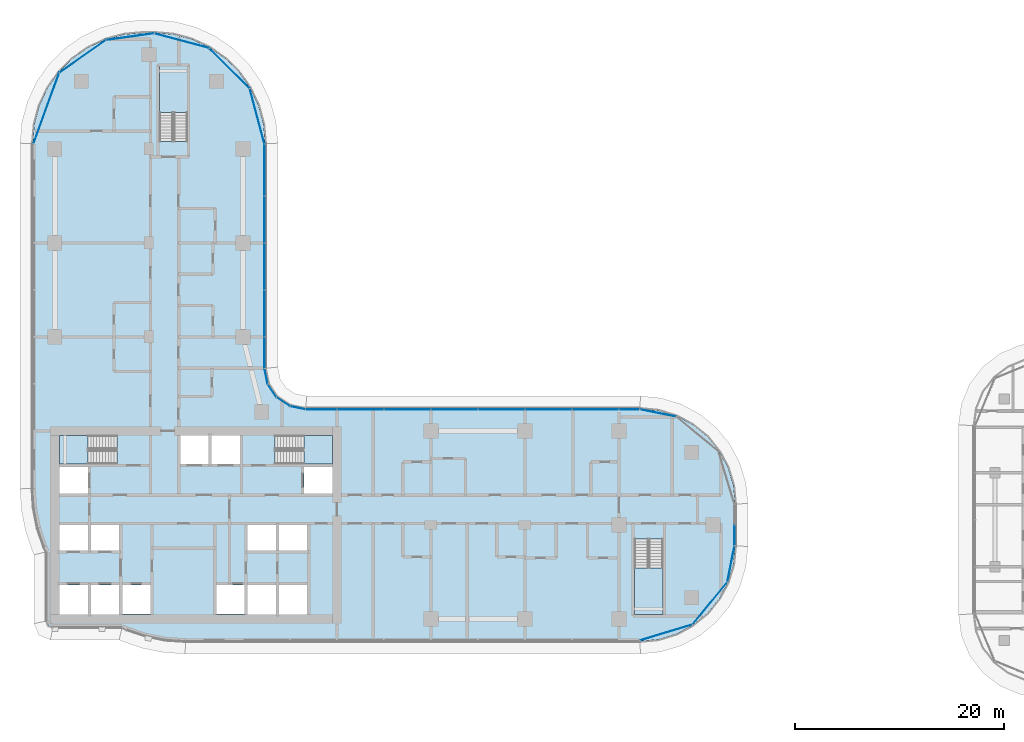
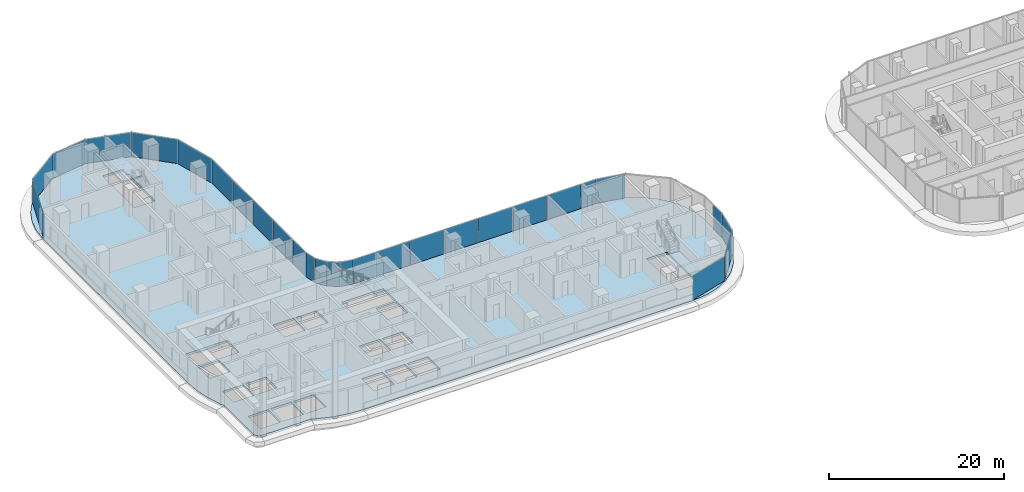
# One storey, part 15 of 36: 28 plates, 5 slabs, 11 elements without a shape of their own.
"""IFC4 building model written with IfcOpenShell, lengths in metres."""

import ifcopenshell
import ifcopenshell.guid

model = None  # the IFC model being written
_history = None  # IfcOwnerHistory: only IFC2X3 demands one
_inside = {}  # id of a spatial element -> (the spatial element, [elements in it])
_under = {}  # id of a project, library or spatial element -> (it, [spatial elements below it])
_declared = {}  # id of a project -> (the project, [libraries it declares])
_typed = {}  # id of a type object -> (the type object, [elements of that type])
_made_of = {}  # id of a material, layer set ... -> (it, [elements and type objects made of it])


def new_model(schema):
    """Start an empty IFC model of exactly this schema.

    Asked for "IFC4X3", IfcOpenShell would pick the latest addendum, in which some entities
    have other attributes; the version numbers below select the first issue.
    IFC2X3 requires an IfcOwnerHistory on every rooted entity: one is made here for all.
    """
    global model, _history
    if schema == "IFC4X3":
        model = ifcopenshell.file(schema_version=(4, 3, 0, 0))
    else:
        model = ifcopenshell.file(schema=schema)
    _inside.clear()
    _under.clear()
    _declared.clear()
    _typed.clear()
    _made_of.clear()
    _history = None
    if model.schema == "IFC2X3":
        org = make("IfcOrganization", Name="unknown")
        user = make(
            "IfcPersonAndOrganization",
            ThePerson=make("IfcPerson", FamilyName="unknown"),
            TheOrganization=org,
        )
        app = make(
            "IfcApplication",
            ApplicationDeveloper=org,
            Version="unknown",
            ApplicationFullName="unknown",
            ApplicationIdentifier="unknown",
        )
        _history = make(
            "IfcOwnerHistory",
            OwningUser=user,
            OwningApplication=app,
            ChangeAction="ADDED",
            CreationDate=0,
        )
    return model


def make(cls, **values):
    """One entity of the class cls with the attributes given. An attribute that is None is left unset."""
    return model.create_entity(
        cls, **{name: value for name, value in values.items() if value is not None}
    )


def rooted(cls, **values):
    """An entity with a GlobalId (a new one), such as an element, a storey or a relation."""
    return make(cls, GlobalId=ifcopenshell.guid.new(), OwnerHistory=_history, **values)


def si_unit(unit_type, name, prefix=None):
    """IfcSIUnit, for example si_unit("LENGTHUNIT", "METRE", prefix="MILLI")."""
    return make("IfcSIUnit", UnitType=unit_type, Prefix=prefix, Name=name)


def assignment(units):
    """IfcUnitAssignment: the units of a project."""
    return None if units is None else make("IfcUnitAssignment", Units=units)


def point(xyz):
    """IfcCartesianPoint."""
    return None if xyz is None else make("IfcCartesianPoint", Coordinates=xyz)


def direction(xyz):
    """IfcDirection."""
    return None if xyz is None else make("IfcDirection", DirectionRatios=xyz)


def frame(location, z_axis=None, x_axis=None):
    """IfcAxis2Placement3D, a coordinate frame: its origin and axes. An axis left out is left unset."""
    return make(
        "IfcAxis2Placement3D",
        Location=point(location),
        Axis=direction(z_axis),
        RefDirection=direction(x_axis),
    )


def frame_2d(location, x_axis=None):
    """IfcAxis2Placement2D, a coordinate frame in the plane: its origin and x axis."""
    return make(
        "IfcAxis2Placement2D", Location=point(location), RefDirection=direction(x_axis)
    )


def origin():
    """The frame at (0, 0, 0) with its axes left unset."""
    return frame((0.0, 0.0, 0.0))


def origin_2d():
    """The frame at (0, 0) in the plane with its x axis left unset."""
    return frame_2d((0.0, 0.0))


def place(relative_to, where):
    """IfcLocalPlacement: puts the frame where relative to a parent placement (None: the world)."""
    return make(
        "IfcLocalPlacement", PlacementRelTo=relative_to, RelativePlacement=where
    )


def context(
    kind, dimensions, precision=None, world=None, true_north=None, identifier=None
):
    """IfcGeometricRepresentationContext, for example the 3D "Model" context."""
    return make(
        "IfcGeometricRepresentationContext",
        ContextIdentifier=identifier,
        ContextType=kind,
        CoordinateSpaceDimension=dimensions,
        Precision=precision,
        WorldCoordinateSystem=world,
        TrueNorth=true_north,
    )


def subcontext(parent, identifier, kind, view, scale=None):
    """IfcGeometricRepresentationSubContext, for example "Body" below "Model"."""
    return make(
        "IfcGeometricRepresentationSubContext",
        ContextIdentifier=identifier,
        ContextType=kind,
        ParentContext=parent,
        TargetScale=scale,
        TargetView=view,
    )


def project(units=None, contexts=None):
    """IfcProject with its units and contexts."""
    return rooted(
        "IfcProject",
        Name="project",
        RepresentationContexts=contexts,
        UnitsInContext=assignment(units),
    )


def spatial(cls, under=None, at=None, **own):
    """A site, building, storey or space (cls), placed at a placement, below another one or the project."""
    s = rooted(cls, ObjectPlacement=at, **own)
    if under is not None:
        _under.setdefault(under.id(), (under, []))[1].append(s)
    return s


def polyline(points):
    """IfcPolyline through the points."""
    return make("IfcPolyline", Points=[point(p) for p in points])


def profile(cls, at=None, kind="AREA", **sizes):
    """A parametric profile (cls). Its sizes go by their IFC names, for example OverallWidth=200.0."""
    return make(cls, ProfileType=kind, Position=at, **sizes)


def rectangle(**sizes):
    """IfcRectangleProfileDef."""
    return profile("IfcRectangleProfileDef", **sizes)


def outline(outer, holes=None, kind="AREA"):
    """IfcArbitraryClosedProfileDef: a profile drawn as a closed curve; with holes, ...WithVoids."""
    if holes is None:
        return make("IfcArbitraryClosedProfileDef", ProfileType=kind, OuterCurve=outer)
    return make(
        "IfcArbitraryProfileDefWithVoids",
        ProfileType=kind,
        OuterCurve=outer,
        InnerCurves=holes,
    )


def extrude(swept, where, along, depth):
    """IfcExtrudedAreaSolid: the profile swept, set in the frame where, extruded along a direction by depth."""
    return make(
        "IfcExtrudedAreaSolid",
        SweptArea=swept,
        Position=where,
        ExtrudedDirection=direction(along),
        Depth=depth,
    )


def shape(context_of_items, identifier, shape_type, items):
    """IfcShapeRepresentation: the items that make up one representation, for example the "Body"."""
    return make(
        "IfcShapeRepresentation",
        ContextOfItems=context_of_items,
        RepresentationIdentifier=identifier,
        RepresentationType=shape_type,
        Items=items,
    )


def material(Name=None, Category=None):
    """IfcMaterial."""
    return make("IfcMaterial", Name=Name, Category=Category)


def layer(
    of_material, thickness, ventilated=None, Name=None, Category=None, Priority=None
):
    """IfcMaterialLayer: one layer of a wall or slab, of a material (None: an air gap)."""
    return make(
        "IfcMaterialLayer",
        Material=of_material,
        LayerThickness=thickness,
        IsVentilated=ventilated,
        Name=Name,
        Category=Category,
        Priority=Priority,
    )


def layer_set(layers, Name=None):
    """IfcMaterialLayerSet."""
    return make("IfcMaterialLayerSet", MaterialLayers=layers, LayerSetName=Name)


def made_of(thing, what):
    """Note that an element or type object is made of a material, layer set ...; save() writes the relation."""
    if what is not None:
        _made_of.setdefault(what.id(), (what, []))[1].append(thing)
    return thing


def type_object(cls, material=None, **own):
    """A type object (cls), such as IfcWallType, which elements share."""
    return made_of(rooted(cls, **own), material)


def element(
    cls,
    number,
    at=None,
    inside=None,
    cuts=None,
    type_object=None,
    material=None,
    context=None,
    identifier="Body",
    shape_type=None,
    held_by="IfcProductDefinitionShape",
    body=None,
    shapes=None,
    **own,
):
    """One element of the class cls, such as IfcWall. Its Tag is "e" and its number.

    at: its placement. inside: the storey or other place that contains it. cuts: it is an
    opening in that element (IfcRelVoidsElement). A single representation is given by context,
    identifier, shape_type and body (its items); several are given by shapes. held_by: the class
    of the entity that holds the representations. save() writes the other relations.
    """
    e = rooted(cls, Tag="e%d" % number, ObjectPlacement=at, **own)
    if body is not None:
        shapes = [shape(context, identifier, shape_type, body)]
    if shapes is not None:
        e.Representation = make(held_by, Representations=shapes)
    if inside is not None:
        _inside.setdefault(inside.id(), (inside, []))[1].append(e)
    if cuts is not None:
        rooted(
            "IfcRelVoidsElement", RelatingBuildingElement=cuts, RelatedOpeningElement=e
        )
    if type_object is not None:
        _typed.setdefault(type_object.id(), (type_object, []))[1].append(e)
    return made_of(e, material)


def aggregate(whole, parts):
    """IfcRelAggregates: a whole, such as a stair, and the parts it consists of."""
    return rooted("IfcRelAggregates", RelatingObject=whole, RelatedObjects=parts)


def save(model, path):
    """Write the relations noted so far, then the file.

    IfcRelAggregates (storeys below a building ...), IfcRelContainedInSpatialStructure (elements
    in a storey), IfcRelDefinesByType, IfcRelAssociatesMaterial and IfcRelDeclares: one each for
    every whole, place, type object, material and project.
    """
    for whole, parts in _under.values():
        aggregate(whole, parts)
    for where, things in _inside.values():
        rooted(
            "IfcRelContainedInSpatialStructure",
            RelatedElements=things,
            RelatingStructure=where,
        )
    for kind, things in _typed.values():
        rooted("IfcRelDefinesByType", RelatedObjects=things, RelatingType=kind)
    for what, things in _made_of.values():
        rooted("IfcRelAssociatesMaterial", RelatedObjects=things, RelatingMaterial=what)
    for by, libraries in _declared.values():
        rooted("IfcRelDeclares", RelatingContext=by, RelatedDefinitions=libraries)
    model.write(path)


model = new_model("IFC4")

# Units and contexts
model_context = context("Model", 3, precision=1e-05, world=origin(), true_north=direction((0.0, 1.0)))
body_context = subcontext(model_context, "Body", "Model", "MODEL_VIEW")
ifc_project = project(units=[si_unit("LENGTHUNIT", "METRE"), si_unit("AREAUNIT", "SQUARE_METRE"), si_unit("VOLUMEUNIT", "CUBIC_METRE"), si_unit("PLANEANGLEUNIT", "RADIAN"), si_unit("MASSUNIT", "GRAM", prefix="KILO")], contexts=[model_context])

# Site, building, storey
site_placement = place(None, origin())
site = spatial("IfcSite", under=ifc_project, at=site_placement, CompositionType="ELEMENT")
building_placement = place(site_placement, origin())
building = spatial("IfcBuilding", under=site, at=building_placement, Name="Ogive Portal Towers", CompositionType="ELEMENT")
storey_placement = place(building_placement, frame((0.0, 0.0, 52.0)))
storey = spatial("IfcBuildingStorey", under=building, at=storey_placement, Name="L11", CompositionType="ELEMENT", Elevation=52.0)

# Curtain wall, plate
ifc_material_1 = material(Name="Glass, clear low-iron insulated glazing", Category="glass")
curtain_wall_type = type_object("IfcCurtainWallType", Name="CW FRONT RIBBON 4500", PredefinedType="NOTDEFINED", material=ifc_material_1)
curtain_wall_1_placement = place(storey_placement, origin())
curtain_wall_1 = element("IfcCurtainWall", 1, at=curtain_wall_1_placement, inside=storey, type_object=curtain_wall_type, Name="A:L11:f12:cw0", PredefinedType="NOTDEFINED")
ifc_layer_1 = layer(ifc_material_1, 0.028076171875)
ifc_layer_set_1 = layer_set([ifc_layer_1], Name="CW PANEL IGU 28")
plate_type = type_object("IfcPlateType", Name="CW PANEL IGU 28", PredefinedType="CURTAIN_PANEL", material=ifc_layer_set_1)
plate_1_placement = place(storey_placement, frame((96.56494140625, 29.50390625, 0.0), z_axis=(0.0, 0.0, 1.0), x_axis=(0.0, 1.0, 0.0)))
plate_1 = element("IfcPlate", 2, at=plate_1_placement, type_object=plate_type, Name="panel", PredefinedType="CURTAIN_PANEL", context=body_context, shape_type="SweptSolid", body=[
    extrude(rectangle(XDim=1.93212890625, YDim=0.028076171875, at=origin_2d()), origin(), (0.0, 0.0, 1.0), 3.340087890625),
])
aggregate(curtain_wall_1, [plate_1])

# Curtain wall, plates
curtain_wall_2_placement = place(storey_placement, origin())
curtain_wall_2 = element("IfcCurtainWall", 3, at=curtain_wall_2_placement, inside=storey, type_object=curtain_wall_type, Name="A:L11:f16:cw0", PredefinedType="NOTDEFINED")
plate_2_placement = place(storey_placement, frame((86.49609375, 41.56494140625, 0.0), z_axis=(0.0, 0.0, 1.0), x_axis=(-1.0, 0.0, 0.0)))
plate_2 = element("IfcPlate", 4, at=plate_2_placement, type_object=plate_type, Name="panel", PredefinedType="CURTAIN_PANEL", context=body_context, shape_type="SweptSolid", body=[
    extrude(rectangle(XDim=1.93212890625, YDim=0.028076171875, at=origin_2d()), origin(), (0.0, 0.0, 1.0), 3.340087890625),
])
plate_3_placement = place(storey_placement, frame((83.25, 41.56494140625, 0.0), z_axis=(0.0, 0.0, 1.0), x_axis=(-1.0, 0.0, 0.0)))
plate_3 = element("IfcPlate", 5, at=plate_3_placement, type_object=plate_type, Name="panel", PredefinedType="CURTAIN_PANEL", context=body_context, shape_type="SweptSolid", body=[
    extrude(rectangle(XDim=4.43994140625, YDim=0.028076171875, at=origin_2d()), origin(), (0.0, 0.0, 1.0), 3.340087890625),
])
plate_4_placement = place(storey_placement, frame((78.75, 41.56494140625, 0.0), z_axis=(0.0, 0.0, 1.0), x_axis=(-1.0, 0.0, 0.0)))
plate_4 = element("IfcPlate", 6, at=plate_4_placement, type_object=plate_type, Name="panel", PredefinedType="CURTAIN_PANEL", context=body_context, shape_type="SweptSolid", body=[
    extrude(rectangle(XDim=4.43994140625, YDim=0.028076171875, at=origin_2d()), origin(), (0.0, 0.0, 1.0), 3.340087890625),
])
plate_5_placement = place(storey_placement, frame((74.25, 41.56494140625, 0.0), z_axis=(0.0, 0.0, 1.0), x_axis=(-1.0, 0.0, 0.0)))
plate_5 = element("IfcPlate", 7, at=plate_5_placement, type_object=plate_type, Name="panel", PredefinedType="CURTAIN_PANEL", context=body_context, shape_type="SweptSolid", body=[
    extrude(rectangle(XDim=4.43994140625, YDim=0.028076171875, at=origin_2d()), origin(), (0.0, 0.0, 1.0), 3.340087890625),
])
plate_6_placement = place(storey_placement, frame((69.75, 41.56494140625, 0.0), z_axis=(0.0, 0.0, 1.0), x_axis=(-1.0, 0.0, 0.0)))
plate_6 = element("IfcPlate", 8, at=plate_6_placement, type_object=plate_type, Name="panel", PredefinedType="CURTAIN_PANEL", context=body_context, shape_type="SweptSolid", body=[
    extrude(rectangle(XDim=4.43994140625, YDim=0.028076171875, at=origin_2d()), origin(), (0.0, 0.0, 1.0), 3.340087890625),
])
plate_7_placement = place(storey_placement, frame((65.25, 41.56494140625, 0.0), z_axis=(0.0, 0.0, 1.0), x_axis=(-1.0, 0.0, 0.0)))
plate_7 = element("IfcPlate", 9, at=plate_7_placement, type_object=plate_type, Name="panel", PredefinedType="CURTAIN_PANEL", context=body_context, shape_type="SweptSolid", body=[
    extrude(rectangle(XDim=4.43994140625, YDim=0.028076171875, at=origin_2d()), origin(), (0.0, 0.0, 1.0), 3.340087890625),
])
plate_8_placement = place(storey_placement, frame((60.75, 41.56494140625, 0.0), z_axis=(0.0, 0.0, 1.0), x_axis=(-1.0, 0.0, 0.0)))
plate_8 = element("IfcPlate", 10, at=plate_8_placement, type_object=plate_type, Name="panel", PredefinedType="CURTAIN_PANEL", context=body_context, shape_type="SweptSolid", body=[
    extrude(rectangle(XDim=4.43994140625, YDim=0.028076171875, at=origin_2d()), origin(), (0.0, 0.0, 1.0), 3.340087890625),
])
plate_9_placement = place(storey_placement, frame((56.99609375, 41.56494140625, 0.0), z_axis=(0.0, 0.0, 1.0), x_axis=(-1.0, 0.0, 0.0)))
plate_9 = element("IfcPlate", 11, at=plate_9_placement, type_object=plate_type, Name="panel", PredefinedType="CURTAIN_PANEL", context=body_context, shape_type="SweptSolid", body=[
    extrude(rectangle(XDim=2.947998046875, YDim=0.028076171875, at=origin_2d()), origin(), (0.0, 0.0, 1.0), 3.340087890625),
])
aggregate(curtain_wall_2, [plate_2, plate_3, plate_4, plate_5, plate_6, plate_7, plate_8, plate_9])

curtain_wall_3_placement = place(storey_placement, origin())
curtain_wall_3 = element("IfcCurtainWall", 12, at=curtain_wall_3_placement, inside=storey, type_object=curtain_wall_type, Name="A:L11:f21:cw0", PredefinedType="NOTDEFINED")
plate_10_placement = place(storey_placement, frame((51.56494140625, 46.99609375, 0.0), z_axis=(0.0, 0.0, 1.0), x_axis=(0.0, 1.0, 0.0)))
plate_10 = element("IfcPlate", 13, at=plate_10_placement, type_object=plate_type, Name="panel", PredefinedType="CURTAIN_PANEL", context=body_context, shape_type="SweptSolid", body=[
    extrude(rectangle(XDim=2.947998046875, YDim=0.028076171875, at=origin_2d()), origin(), (0.0, 0.0, 1.0), 3.340087890625),
])
plate_11_placement = place(storey_placement, frame((51.56494140625, 50.75, 0.0), z_axis=(0.0, 0.0, 1.0), x_axis=(0.0, 1.0, 0.0)))
plate_11 = element("IfcPlate", 14, at=plate_11_placement, type_object=plate_type, Name="panel", PredefinedType="CURTAIN_PANEL", context=body_context, shape_type="SweptSolid", body=[
    extrude(rectangle(XDim=4.43994140625, YDim=0.028076171875, at=origin_2d()), origin(), (0.0, 0.0, 1.0), 3.340087890625),
])
plate_12_placement = place(storey_placement, frame((51.56494140625, 55.25, 0.0), z_axis=(0.0, 0.0, 1.0), x_axis=(0.0, 1.0, 0.0)))
plate_12 = element("IfcPlate", 15, at=plate_12_placement, type_object=plate_type, Name="panel", PredefinedType="CURTAIN_PANEL", context=body_context, shape_type="SweptSolid", body=[
    extrude(rectangle(XDim=4.43994140625, YDim=0.028076171875, at=origin_2d()), origin(), (0.0, 0.0, 1.0), 3.340087890625),
])
plate_13_placement = place(storey_placement, frame((51.56494140625, 59.75, 0.0), z_axis=(0.0, 0.0, 1.0), x_axis=(0.0, 1.0, 0.0)))
plate_13 = element("IfcPlate", 16, at=plate_13_placement, type_object=plate_type, Name="panel", PredefinedType="CURTAIN_PANEL", context=body_context, shape_type="SweptSolid", body=[
    extrude(rectangle(XDim=4.43994140625, YDim=0.028076171875, at=origin_2d()), origin(), (0.0, 0.0, 1.0), 3.340087890625),
])
plate_14_placement = place(storey_placement, frame((51.56494140625, 64.49462890625, 0.0), z_axis=(0.0, 0.0, 1.0), x_axis=(0.0, 1.0, 0.0)))
plate_14 = element("IfcPlate", 17, at=plate_14_placement, type_object=plate_type, Name="panel", PredefinedType="CURTAIN_PANEL", context=body_context, shape_type="SweptSolid", body=[
    extrude(rectangle(XDim=4.929443359375, YDim=0.028076171875, at=origin_2d()), origin(), (0.0, 0.0, 1.0), 3.340087890625),
])
aggregate(curtain_wall_3, [plate_10, plate_11, plate_12, plate_13, plate_14])

curtain_wall_4_placement = place(storey_placement, origin())
curtain_wall_4 = element("IfcCurtainWall", 18, at=curtain_wall_4_placement, inside=storey, type_object=curtain_wall_type, Name="A:L11:f09:cwa", PredefinedType="NOTDEFINED")
plate_15_placement = place(storey_placement, frame((90.01123046875, 20.200439453125, 0.0), z_axis=(0.0, 0.0, 1.0), x_axis=(0.956940335732, 0.290284677254, 0.0)))
plate_15 = element("IfcPlate", 19, at=plate_15_placement, type_object=plate_type, Name="panel", PredefinedType="CURTAIN_PANEL", context=body_context, shape_type="SweptSolid", body=[
    extrude(rectangle(XDim=5.213134765625, YDim=0.028076171875, at=origin_2d()), origin(), (0.0, 0.0, 1.0), 3.340087890625),
])
plate_16_placement = place(storey_placement, frame((94.204345703125, 23.000732421875, 0.0), z_axis=(0.0, 0.0, 1.0), x_axis=(0.634393284164, 0.773010453363, 0.0)))
plate_16 = element("IfcPlate", 20, at=plate_16_placement, type_object=plate_type, Name="panel", PredefinedType="CURTAIN_PANEL", context=body_context, shape_type="SweptSolid", body=[
    extrude(rectangle(XDim=5.205078125, YDim=0.028076171875, at=origin_2d()), origin(), (0.0, 0.0, 1.0), 3.340087890625),
])
plate_17_placement = place(storey_placement, frame((96.2197265625, 26.771728515625, 0.0), z_axis=(0.0, 0.0, 1.0), x_axis=(0.195090322016, 0.980785280403, 0.0)))
plate_17 = element("IfcPlate", 21, at=plate_17_placement, type_object=plate_type, Name="panel", PredefinedType="CURTAIN_PANEL", context=body_context, shape_type="SweptSolid", body=[
    extrude(rectangle(XDim=3.480224609375, YDim=0.028076171875, at=origin_2d()), origin(), (0.0, 0.0, 1.0), 3.340087890625),
])
aggregate(curtain_wall_4, [plate_15, plate_16, plate_17])

# Curtain wall, plate
curtain_wall_5_placement = place(storey_placement, origin())
curtain_wall_5 = element("IfcCurtainWall", 22, at=curtain_wall_5_placement, inside=storey, type_object=curtain_wall_type, Name="A:L11:f13:cwa", PredefinedType="NOTDEFINED")
plate_18_placement = place(storey_placement, frame((89.228271484375, 41.2197265625, 0.0), z_axis=(0.0, 0.0, 1.0), x_axis=(-0.980785280403, 0.195090322016, 0.0)))
plate_18 = element("IfcPlate", 23, at=plate_18_placement, type_object=plate_type, Name="panel", PredefinedType="CURTAIN_PANEL", context=body_context, shape_type="SweptSolid", body=[
    extrude(rectangle(XDim=3.480224609375, YDim=0.028076171875, at=origin_2d()), origin(), (0.0, 0.0, 1.0), 3.340087890625),
])
aggregate(curtain_wall_5, [plate_18])

# Curtain wall, plates
curtain_wall_6_placement = place(storey_placement, origin())
curtain_wall_6 = element("IfcCurtainWall", 24, at=curtain_wall_6_placement, inside=storey, type_object=curtain_wall_type, Name="A:L11:f17:cwa", PredefinedType="NOTDEFINED")
plate_19_placement = place(storey_placement, frame((54.742919921875, 41.714111328125, 0.0), z_axis=(0.0, 0.0, 1.0), x_axis=(-0.980785280403, 0.195090322016, 0.0)))
plate_19 = element("IfcPlate", 25, at=plate_19_placement, type_object=plate_type, Name="panel", PredefinedType="CURTAIN_PANEL", context=body_context, shape_type="SweptSolid", body=[
    extrude(rectangle(XDim=1.468017578125, YDim=0.028076171875, at=origin_2d()), origin(), (0.0, 0.0, 1.0), 3.340087890625),
])
plate_20_placement = place(storey_placement, frame((53.35498046875, 42.289794921875, 0.0), z_axis=(0.0, 0.0, 1.0), x_axis=(-0.831469612303, 0.55557023302, 0.0)))
plate_20 = element("IfcPlate", 26, at=plate_20_placement, type_object=plate_type, Name="panel", PredefinedType="CURTAIN_PANEL", context=body_context, shape_type="SweptSolid", body=[
    extrude(rectangle(XDim=1.47607421875, YDim=0.028076171875, at=origin_2d()), origin(), (0.0, 0.0, 1.0), 3.340087890625),
])
plate_21_placement = place(storey_placement, frame((52.289794921875, 43.35498046875, 0.0), z_axis=(0.0, 0.0, 1.0), x_axis=(-0.55557023302, 0.831469612303, 0.0)))
plate_21 = element("IfcPlate", 27, at=plate_21_placement, type_object=plate_type, Name="panel", PredefinedType="CURTAIN_PANEL", context=body_context, shape_type="SweptSolid", body=[
    extrude(rectangle(XDim=1.47607421875, YDim=0.028076171875, at=origin_2d()), origin(), (0.0, 0.0, 1.0), 3.340087890625),
])
plate_22_placement = place(storey_placement, frame((51.714111328125, 44.742919921875, 0.0), z_axis=(0.0, 0.0, 1.0), x_axis=(-0.195090322016, 0.980785280403, 0.0)))
plate_22 = element("IfcPlate", 28, at=plate_22_placement, type_object=plate_type, Name="panel", PredefinedType="CURTAIN_PANEL", context=body_context, shape_type="SweptSolid", body=[
    extrude(rectangle(XDim=1.468017578125, YDim=0.028076171875, at=origin_2d()), origin(), (0.0, 0.0, 1.0), 3.340087890625),
])
aggregate(curtain_wall_6, [plate_19, plate_20, plate_21, plate_22])

curtain_wall_7_placement = place(storey_placement, origin())
curtain_wall_7 = element("IfcCurtainWall", 29, at=curtain_wall_7_placement, inside=storey, type_object=curtain_wall_type, Name="A:L11:f22:cwa", PredefinedType="NOTDEFINED")
plate_23_placement = place(storey_placement, frame((50.85595703125, 69.63525390625, 0.0), z_axis=(0.0, 0.0, 1.0), x_axis=(-0.258819045103, 0.965925826289, 0.0)))
plate_23 = element("IfcPlate", 30, at=plate_23_placement, type_object=plate_type, Name="panel", PredefinedType="CURTAIN_PANEL", context=body_context, shape_type="SweptSolid", body=[
    extrude(rectangle(XDim=5.418212890625, YDim=0.028076171875, at=origin_2d()), origin(), (0.0, 0.0, 1.0), 3.340087890625),
])
plate_24_placement = place(storey_placement, frame((48.214111328125, 74.214111328125, 0.0), z_axis=(0.0, 0.0, 1.0), x_axis=(-0.707106781187, 0.707106781187, 0.0)))
plate_24 = element("IfcPlate", 31, at=plate_24_placement, type_object=plate_type, Name="panel", PredefinedType="CURTAIN_PANEL", context=body_context, shape_type="SweptSolid", body=[
    extrude(rectangle(XDim=5.407470703125, YDim=0.028076171875, at=origin_2d()), origin(), (0.0, 0.0, 1.0), 3.340087890625),
])
plate_25_placement = place(storey_placement, frame((43.637939453125, 76.855224609375, 0.0), z_axis=(0.0, 0.0, 1.0), x_axis=(-0.965925826289, 0.258819045103, 0.0)))
plate_25 = element("IfcPlate", 32, at=plate_25_placement, type_object=plate_type, Name="panel", PredefinedType="CURTAIN_PANEL", context=body_context, shape_type="SweptSolid", body=[
    extrude(rectangle(XDim=5.41259765625, YDim=0.028076171875, at=origin_2d()), origin(), (0.0, 0.0, 1.0), 3.340087890625),
])
plate_26_placement = place(storey_placement, frame((38.692138671875, 77.244873046875, 0.0), z_axis=(0.0, 0.0, 1.0), x_axis=(-0.990567282946, -0.137027216118, 0.0)))
plate_26 = element("IfcPlate", 33, at=plate_26_placement, type_object=plate_type, Name="panel", PredefinedType="CURTAIN_PANEL", context=body_context, shape_type="SweptSolid", body=[
    extrude(rectangle(XDim=4.589599609375, YDim=0.028076171875, at=origin_2d()), origin(), (0.0, 0.0, 1.0), 3.340087890625),
])
plate_27_placement = place(storey_placement, frame((34.150634765625, 75.35888671875, 0.0), z_axis=(0.0, 0.0, 1.0), x_axis=(-0.819152044289, -0.573576436351, 0.0)))
plate_27 = element("IfcPlate", 34, at=plate_27_placement, type_object=plate_type, Name="panel", PredefinedType="CURTAIN_PANEL", context=body_context, shape_type="SweptSolid", body=[
    extrude(rectangle(XDim=5.40576171875, YDim=0.028076171875, at=origin_2d()), origin(), (0.0, 0.0, 1.0), 3.340087890625),
])
plate_28_placement = place(storey_placement, frame((30.673583984375, 70.388671875, 0.0), z_axis=(0.0, 0.0, 1.0), x_axis=(-0.342020143326, -0.939692620786, 0.0)))
plate_28 = element("IfcPlate", 35, at=plate_28_placement, type_object=plate_type, Name="panel", PredefinedType="CURTAIN_PANEL", context=body_context, shape_type="SweptSolid", body=[
    extrude(rectangle(XDim=7.182373046875, YDim=0.028076171875, at=origin_2d()), origin(), (0.0, 0.0, 1.0), 3.340087890625),
])
aggregate(curtain_wall_7, [plate_23, plate_24, plate_25, plate_26, plate_27, plate_28])

# Stair, slab
ifc_material_2 = material(Name="Concrete C40/50", Category="concrete")
stair_type = type_object("IfcStairType", Name="INT-STAIR", PredefinedType="HALF_TURN_STAIR", material=ifc_material_2)
stair_1_placement = place(storey_placement, origin())
stair_1 = element("IfcStair", 36, at=stair_1_placement, inside=storey, type_object=stair_type, Name="L11 Exit Stair ST-A1", PredefinedType="HALF_TURN_STAIR")
ifc_layer_2 = layer(ifc_material_2, 0.199951171875)
ifc_layer_set_2 = layer_set([ifc_layer_2], Name="INT-LANDING")
slab_type_1 = type_object("IfcSlabType", Name="INT-LANDING", PredefinedType="LANDING", material=ifc_layer_set_2)
slab_1_placement = place(storey_placement, frame((0.0, 0.0, 1.64990234375)))
slab_1 = element("IfcSlab", 37, at=slab_1_placement, type_object=slab_type_1, Name="ST-A1 landing 1", PredefinedType="LANDING", context=body_context, shape_type="SweptSolid", body=[
    extrude(outline(polyline([(34.64990234375, 39.050048828125), (31.949951171875, 39.050048828125), (31.949951171875, 36.35009765625), (34.64990234375, 36.35009765625), (34.64990234375, 39.050048828125)])), origin(), (0.0, 0.0, 1.0), 0.2001953125),
])
aggregate(stair_1, [slab_1])

stair_2_placement = place(storey_placement, origin())
stair_2 = element("IfcStair", 38, at=stair_2_placement, inside=storey, type_object=stair_type, Name="L11 Exit Stair ST-A2", PredefinedType="HALF_TURN_STAIR")
slab_2_placement = place(storey_placement, frame((0.0, 0.0, 1.64990234375)))
slab_2 = element("IfcSlab", 39, at=slab_2_placement, type_object=slab_type_1, Name="ST-A2 landing 1", PredefinedType="LANDING", context=body_context, shape_type="SweptSolid", body=[
    extrude(outline(polyline([(55.35009765625, 36.35009765625), (58.050048828125, 36.35009765625), (58.050048828125, 39.050048828125), (55.35009765625, 39.050048828125), (55.35009765625, 36.35009765625)])), origin(), (0.0, 0.0, 1.0), 0.2001953125),
])
aggregate(stair_2, [slab_2])

stair_3_placement = place(storey_placement, origin())
stair_3 = element("IfcStair", 40, at=stair_3_placement, inside=storey, type_object=stair_type, Name="L11 Exit Stair ST-A3", PredefinedType="HALF_TURN_STAIR")
slab_3_placement = place(storey_placement, frame((0.0, 0.0, 1.64990234375)))
slab_3 = element("IfcSlab", 41, at=slab_3_placement, type_object=slab_type_1, Name="ST-A3 landing 1", PredefinedType="LANDING", context=body_context, shape_type="SweptSolid", body=[
    extrude(outline(polyline([(44.199951171875, 70.0), (44.199951171875, 74.449951171875), (41.5, 74.449951171875), (41.5, 70.0), (44.199951171875, 70.0)])), origin(), (0.0, 0.0, 1.0), 0.2001953125),
])
aggregate(stair_3, [slab_3])

stair_4_placement = place(storey_placement, origin())
stair_4 = element("IfcStair", 42, at=stair_4_placement, inside=storey, type_object=stair_type, Name="L11 Exit Stair ST-A4", PredefinedType="HALF_TURN_STAIR")
slab_4_placement = place(storey_placement, frame((0.0, 0.0, 1.64990234375)))
slab_4 = element("IfcSlab", 43, at=slab_4_placement, type_object=slab_type_1, Name="ST-A4 landing 1", PredefinedType="LANDING", context=body_context, shape_type="SweptSolid", body=[
    extrude(outline(polyline([(87.0, 26.3701171875), (87.0, 21.949951171875), (89.699951171875, 21.949951171875), (89.699951171875, 26.3701171875), (87.0, 26.3701171875)])), origin(), (0.0, 0.0, 1.0), 0.2001953125),
])
aggregate(stair_4, [slab_4])

# Slab
ifc_material_3 = material(Name="Concrete C45/55", Category="concrete")
ifc_layer_3 = layer(ifc_material_3, 0.300048828125)
ifc_layer_set_3 = layer_set([ifc_layer_3], Name="PT FLAT PLATE 300")
slab_type_2 = type_object("IfcSlabType", Name="PT FLAT PLATE 300", PredefinedType="FLOOR", material=ifc_layer_set_3)
slab_5_placement = place(storey_placement, frame((0.0, 0.0, -0.300048828125)))
element("IfcSlab", 44, at=slab_5_placement, inside=storey, type_object=slab_type_2, Name="Floor slab L11", PredefinedType="FLOOR", context=body_context, shape_type="SweptSolid", body=[
    extrude(outline(polyline([(29.85400390625, 30.209716796875), (30.4697265625, 28.3955078125), (30.699951171875, 27.9287109375), (30.699951171875, 21.300048828125), (30.875732421875, 20.875732421875), (31.300048828125, 20.699951171875), (37.9287109375, 20.699951171875), (38.3955078125, 20.4697265625), (40.209716796875, 19.85400390625), (42.08837890625, 19.480224609375), (44.0, 19.35498046875), (87.5, 19.35498046875), (89.2841796875, 19.53076171875), (90.99951171875, 20.051025390625), (92.580810546875, 20.896240234375), (93.966552734375, 22.033447265625), (95.103759765625, 23.419189453125), (95.948974609375, 25.00048828125), (96.46923828125, 26.7158203125), (96.64501953125, 28.5), (96.64501953125, 32.5), (96.46923828125, 34.2841796875), (95.948974609375, 35.99951171875), (95.103759765625, 37.580810546875), (93.966552734375, 38.966552734375), (92.580810546875, 40.103759765625), (90.99951171875, 40.948974609375), (89.2841796875, 41.46923828125), (87.5, 41.64501953125), (55.5, 41.64501953125), (54.02490234375, 41.9384765625), (52.774169921875, 42.774169921875), (51.9384765625, 44.02490234375), (51.64501953125, 45.5), (51.64501953125, 67.0), (51.4833984375, 68.848388671875), (51.0029296875, 70.640869140625), (50.21875, 72.322509765625), (49.154541015625, 73.842529296875), (47.842529296875, 75.154541015625), (46.322509765625, 76.21875), (44.640869140625, 77.0029296875), (42.848388671875, 77.4833984375), (41.0, 77.64501953125), (40.0, 77.64501953125), (38.151611328125, 77.4833984375), (36.359130859375, 77.0029296875), (34.677490234375, 76.21875), (33.157470703125, 75.154541015625), (31.845458984375, 73.842529296875), (30.78125, 72.322509765625), (29.9970703125, 70.640869140625), (29.5166015625, 68.848388671875), (29.35498046875, 67.0), (29.35498046875, 34.0), (29.480224609375, 32.08837890625), (29.85400390625, 30.209716796875)]), holes=[polyline([(34.64990234375, 24.75), (34.64990234375, 21.949951171875), (31.949951171875, 21.949951171875), (31.949951171875, 24.75), (34.64990234375, 24.75)]), polyline([(37.64990234375, 24.75), (37.64990234375, 21.949951171875), (34.949951171875, 21.949951171875), (34.949951171875, 24.75), (37.64990234375, 24.75)]), polyline([(40.6298828125, 21.969970703125), (37.969970703125, 21.969970703125), (37.969970703125, 24.72998046875), (40.6298828125, 24.72998046875), (40.6298828125, 21.969970703125)]), polyline([(34.64990234375, 28.050048828125), (31.949951171875, 28.050048828125), (31.949951171875, 30.5), (34.64990234375, 30.5), (34.64990234375, 28.050048828125)]), polyline([(37.64990234375, 28.050048828125), (34.949951171875, 28.050048828125), (34.949951171875, 30.5), (37.64990234375, 30.5), (37.64990234375, 28.050048828125)]), polyline([(34.64990234375, 36.050048828125), (34.64990234375, 33.5), (31.949951171875, 33.5), (31.949951171875, 36.050048828125), (34.64990234375, 36.050048828125)]), polyline([(31.951904296875, 39.048095703125), (37.447998046875, 39.048095703125), (37.447998046875, 36.35205078125), (31.951904296875, 36.35205078125), (31.951904296875, 39.048095703125)]), polyline([(46.199951171875, 39.050048828125), (46.199951171875, 36.35009765625), (43.5, 36.35009765625), (43.5, 39.050048828125), (46.199951171875, 39.050048828125)]), polyline([(49.199951171875, 36.35009765625), (46.5, 36.35009765625), (46.5, 39.050048828125), (49.199951171875, 39.050048828125), (49.199951171875, 36.35009765625)]), polyline([(44.197998046875, 67.201904296875), (41.501953125, 67.201904296875), (41.501953125, 74.447998046875), (44.197998046875, 74.447998046875), (44.197998046875, 67.201904296875)]), polyline([(49.6298828125, 21.969970703125), (46.969970703125, 21.969970703125), (46.969970703125, 24.72998046875), (49.6298828125, 24.72998046875), (49.6298828125, 21.969970703125)]), polyline([(52.64990234375, 24.75), (52.64990234375, 21.949951171875), (49.949951171875, 21.949951171875), (49.949951171875, 24.75), (52.64990234375, 24.75)]), polyline([(55.64990234375, 21.949951171875), (52.949951171875, 21.949951171875), (52.949951171875, 24.75), (55.64990234375, 24.75), (55.64990234375, 21.949951171875)]), polyline([(87.001953125, 29.16796875), (89.697998046875, 29.16796875), (89.697998046875, 21.951904296875), (87.001953125, 21.951904296875), (87.001953125, 29.16796875)]), polyline([(52.64990234375, 30.5), (52.64990234375, 28.050048828125), (49.949951171875, 28.050048828125), (49.949951171875, 30.5), (52.64990234375, 30.5)]), polyline([(55.64990234375, 30.5), (55.64990234375, 28.050048828125), (52.949951171875, 28.050048828125), (52.949951171875, 30.5), (55.64990234375, 30.5)]), polyline([(58.050048828125, 33.5), (55.35009765625, 33.5), (55.35009765625, 36.050048828125), (58.050048828125, 36.050048828125), (58.050048828125, 33.5)]), polyline([(52.552001953125, 36.35205078125), (52.552001953125, 39.048095703125), (58.048095703125, 39.048095703125), (58.048095703125, 36.35205078125), (52.552001953125, 36.35205078125)])]), origin(), (0.0, 0.0, 1.0), 0.300048828125),
])

save(model, "model.ifc")
